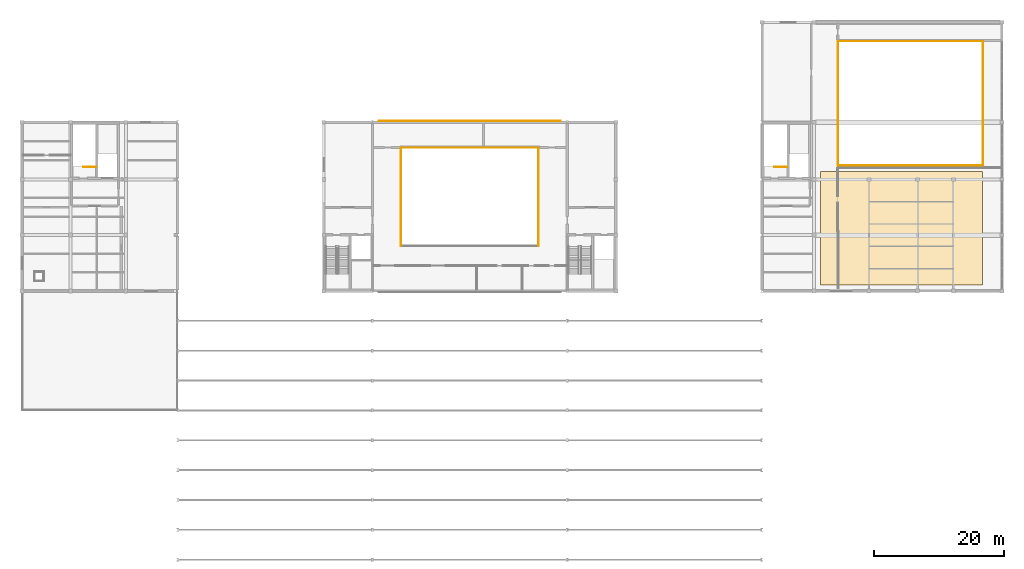
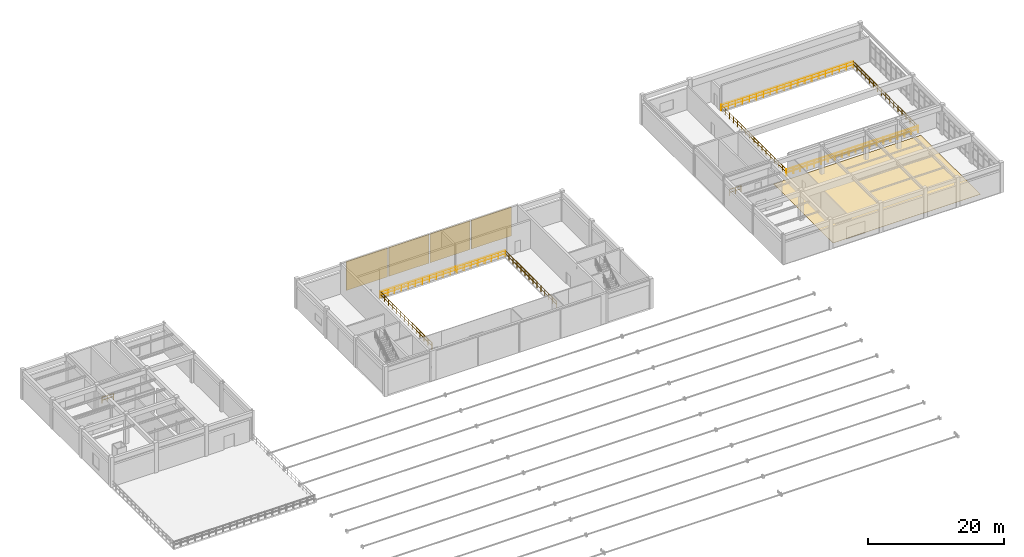
# One storey, part 38 of 38: 9 railings, 5 coverings.
"""IFC4 building model written with IfcOpenShell, lengths in metres."""

from ifc_helpers import new_model, si_unit, direction, frame, origin, origin_2d, place, context, subcontext, project, spatial, polyline, rectangle, circle, outline, extrude, material, layer, layer_set, type_object, element, save


model = new_model("IFC4")

# Units and contexts
model_context = context("Model", 3, precision=1e-05, world=origin(), true_north=direction((0.0, 1.0)))
body_context = subcontext(model_context, "Body", "Model", "MODEL_VIEW")
ifc_project = project(units=[si_unit("LENGTHUNIT", "METRE"), si_unit("AREAUNIT", "SQUARE_METRE"), si_unit("VOLUMEUNIT", "CUBIC_METRE"), si_unit("PLANEANGLEUNIT", "RADIAN"), si_unit("MASSUNIT", "GRAM", prefix="KILO")], contexts=[model_context])

# Site, building, storey
site_placement = place(None, origin())
site = spatial("IfcSite", under=ifc_project, at=site_placement, CompositionType="ELEMENT")
building_placement = place(site_placement, origin())
building = spatial("IfcBuilding", under=site, at=building_placement, Name="Muzn Square Opera House", CompositionType="ELEMENT")
storey_placement = place(building_placement, frame((0.0, 0.0, 18.0)))
storey = spatial("IfcBuildingStorey", under=building, at=storey_placement, Name="L04", CompositionType="ELEMENT", Elevation=18.0)

# Railings
ifc_material_1 = material(Name="Architectural bronze mashrabiya", Category="metal")
railing_type_1 = type_object("IfcRailingType", Name="Bronze Protective Balustrade 1120mm", PredefinedType="BALUSTRADE", material=ifc_material_1)
railing_1_placement = place(storey_placement, frame((98.580078125, 79.52001953125, 0.0)))
element("IfcRailing", 1, at=railing_1_placement, inside=storey, type_object=railing_type_1, Name="Void Edge Balustrade L04-0060", PredefinedType="BALUSTRADE", context=body_context, shape_type="SweptSolid", body=[
    extrude(circle(Radius=0.02392578125, at=origin_2d()), frame((0.0, 0.0, 1.09619140625), z_axis=(0.0, 1.0, 0.0), x_axis=(-1.0, 0.0, 0.0)), (0.0, 0.0, 1.0), 15.159912109375),
    extrude(circle(Radius=0.02392578125, at=origin_2d()), frame((0.0, 0.0, 0.56005859375), z_axis=(0.0, 1.0, 0.0), x_axis=(-1.0, 0.0, 0.0)), (0.0, 0.0, 1.0), 15.159912109375),
    extrude(circle(Radius=0.02099609375, at=origin_2d()), origin(), (0.0, 0.0, 1.0), 1.072021484375),
    extrude(circle(Radius=0.02099609375, at=origin_2d()), frame((0.0, 1.166259765625, 0.0)), (0.0, 0.0, 1.0), 1.072021484375),
    extrude(circle(Radius=0.02099609375, at=origin_2d()), frame((0.0, 2.332275390625, 0.0)), (0.0, 0.0, 1.0), 1.072021484375),
    extrude(circle(Radius=0.02099609375, at=origin_2d()), frame((0.0, 3.49853515625, 0.0)), (0.0, 0.0, 1.0), 1.072021484375),
    extrude(circle(Radius=0.02099609375, at=origin_2d()), frame((0.0, 4.66455078125, 0.0)), (0.0, 0.0, 1.0), 1.072021484375),
    extrude(circle(Radius=0.02099609375, at=origin_2d()), frame((0.0, 5.830810546875, 0.0)), (0.0, 0.0, 1.0), 1.072021484375),
    extrude(circle(Radius=0.02099609375, at=origin_2d()), frame((0.0, 6.996826171875, 0.0)), (0.0, 0.0, 1.0), 1.072021484375),
    extrude(circle(Radius=0.02099609375, at=origin_2d()), frame((0.0, 8.1630859375, 0.0)), (0.0, 0.0, 1.0), 1.072021484375),
    extrude(circle(Radius=0.02099609375, at=origin_2d()), frame((0.0, 9.3291015625, 0.0)), (0.0, 0.0, 1.0), 1.072021484375),
    extrude(circle(Radius=0.02099609375, at=origin_2d()), frame((0.0, 10.495361328125, 0.0)), (0.0, 0.0, 1.0), 1.072021484375),
    extrude(circle(Radius=0.02099609375, at=origin_2d()), frame((0.0, 11.661376953125, 0.0)), (0.0, 0.0, 1.0), 1.072021484375),
    extrude(circle(Radius=0.02099609375, at=origin_2d()), frame((0.0, 12.82763671875, 0.0)), (0.0, 0.0, 1.0), 1.072021484375),
    extrude(circle(Radius=0.02099609375, at=origin_2d()), frame((0.0, 13.99365234375, 0.0)), (0.0, 0.0, 1.0), 1.072021484375),
    extrude(circle(Radius=0.02099609375, at=origin_2d()), frame((0.0, 15.159912109375, 0.0)), (0.0, 0.0, 1.0), 1.072021484375),
])
railing_2_placement = place(storey_placement, frame((98.580078125, 94.679931640625, 0.0)))
element("IfcRailing", 2, at=railing_2_placement, inside=storey, type_object=railing_type_1, Name="Void Edge Balustrade L04-0061", PredefinedType="BALUSTRADE", context=body_context, shape_type="SweptSolid", body=[
    extrude(circle(Radius=0.02392578125, at=origin_2d()), frame((0.0, 0.0, 1.09619140625), z_axis=(-1.0, 0.0, 0.0), x_axis=(0.0, -1.0, 0.0)), (0.0, 0.0, 1.0), 21.16015625),
    extrude(circle(Radius=0.02392578125, at=origin_2d()), frame((0.0, 0.0, 0.56005859375), z_axis=(-1.0, 0.0, 0.0), x_axis=(0.0, -1.0, 0.0)), (0.0, 0.0, 1.0), 21.16015625),
    extrude(circle(Radius=0.02099609375, at=origin_2d()), origin(), (0.0, 0.0, 1.0), 1.072021484375),
    extrude(circle(Radius=0.02099609375, at=origin_2d()), frame((-1.175537109375, 0.0, 0.0)), (0.0, 0.0, 1.0), 1.072021484375),
    extrude(circle(Radius=0.02099609375, at=origin_2d()), frame((-2.35107421875, 0.0, 0.0)), (0.0, 0.0, 1.0), 1.072021484375),
    extrude(circle(Radius=0.02099609375, at=origin_2d()), frame((-3.526611328125, 0.0, 0.0)), (0.0, 0.0, 1.0), 1.072021484375),
    extrude(circle(Radius=0.02099609375, at=origin_2d()), frame((-4.7021484375, 0.0, 0.0)), (0.0, 0.0, 1.0), 1.072021484375),
    extrude(circle(Radius=0.02099609375, at=origin_2d()), frame((-5.8779296875, 0.0, 0.0)), (0.0, 0.0, 1.0), 1.072021484375),
    extrude(circle(Radius=0.02099609375, at=origin_2d()), frame((-7.053466796875, 0.0, 0.0)), (0.0, 0.0, 1.0), 1.072021484375),
    extrude(circle(Radius=0.02099609375, at=origin_2d()), frame((-8.22900390625, 0.0, 0.0)), (0.0, 0.0, 1.0), 1.072021484375),
    extrude(circle(Radius=0.02099609375, at=origin_2d()), frame((-9.404541015625, 0.0, 0.0)), (0.0, 0.0, 1.0), 1.072021484375),
    extrude(circle(Radius=0.02099609375, at=origin_2d()), frame((-10.580078125, 0.0, 0.0)), (0.0, 0.0, 1.0), 1.072021484375),
    extrude(circle(Radius=0.02099609375, at=origin_2d()), frame((-11.755615234375, 0.0, 0.0)), (0.0, 0.0, 1.0), 1.072021484375),
    extrude(circle(Radius=0.02099609375, at=origin_2d()), frame((-12.93115234375, 0.0, 0.0)), (0.0, 0.0, 1.0), 1.072021484375),
    extrude(circle(Radius=0.02099609375, at=origin_2d()), frame((-14.106689453125, 0.0, 0.0)), (0.0, 0.0, 1.0), 1.072021484375),
    extrude(circle(Radius=0.02099609375, at=origin_2d()), frame((-15.2822265625, 0.0, 0.0)), (0.0, 0.0, 1.0), 1.072021484375),
    extrude(circle(Radius=0.02099609375, at=origin_2d()), frame((-16.4580078125, 0.0, 0.0)), (0.0, 0.0, 1.0), 1.072021484375),
    extrude(circle(Radius=0.02099609375, at=origin_2d()), frame((-17.633544921875, 0.0, 0.0)), (0.0, 0.0, 1.0), 1.072021484375),
    extrude(circle(Radius=0.02099609375, at=origin_2d()), frame((-18.80908203125, 0.0, 0.0)), (0.0, 0.0, 1.0), 1.072021484375),
    extrude(circle(Radius=0.02099609375, at=origin_2d()), frame((-19.984619140625, 0.0, 0.0)), (0.0, 0.0, 1.0), 1.072021484375),
    extrude(circle(Radius=0.02099609375, at=origin_2d()), frame((-21.16015625, 0.0, 0.0)), (0.0, 0.0, 1.0), 1.072021484375),
])
railing_3_placement = place(storey_placement, frame((77.419921875, 94.679931640625, 0.0)))
element("IfcRailing", 3, at=railing_3_placement, inside=storey, type_object=railing_type_1, Name="Void Edge Balustrade L04-0062", PredefinedType="BALUSTRADE", context=body_context, shape_type="SweptSolid", body=[
    extrude(circle(Radius=0.02392578125, at=origin_2d()), frame((0.0, 0.0, 1.09619140625), z_axis=(0.0, -1.0, 0.0), x_axis=(1.0, 0.0, 0.0)), (0.0, 0.0, 1.0), 15.159912109375),
    extrude(circle(Radius=0.02392578125, at=origin_2d()), frame((0.0, 0.0, 0.56005859375), z_axis=(0.0, -1.0, 0.0), x_axis=(1.0, 0.0, 0.0)), (0.0, 0.0, 1.0), 15.159912109375),
    extrude(circle(Radius=0.02099609375, at=origin_2d()), origin(), (0.0, 0.0, 1.0), 1.072021484375),
    extrude(circle(Radius=0.02099609375, at=origin_2d()), frame((0.0, -1.166259765625, 0.0)), (0.0, 0.0, 1.0), 1.072021484375),
    extrude(circle(Radius=0.02099609375, at=origin_2d()), frame((0.0, -2.332275390625, 0.0)), (0.0, 0.0, 1.0), 1.072021484375),
    extrude(circle(Radius=0.02099609375, at=origin_2d()), frame((0.0, -3.49853515625, 0.0)), (0.0, 0.0, 1.0), 1.072021484375),
    extrude(circle(Radius=0.02099609375, at=origin_2d()), frame((0.0, -4.66455078125, 0.0)), (0.0, 0.0, 1.0), 1.072021484375),
    extrude(circle(Radius=0.02099609375, at=origin_2d()), frame((0.0, -5.830810546875, 0.0)), (0.0, 0.0, 1.0), 1.072021484375),
    extrude(circle(Radius=0.02099609375, at=origin_2d()), frame((0.0, -6.996826171875, 0.0)), (0.0, 0.0, 1.0), 1.072021484375),
    extrude(circle(Radius=0.02099609375, at=origin_2d()), frame((0.0, -8.1630859375, 0.0)), (0.0, 0.0, 1.0), 1.072021484375),
    extrude(circle(Radius=0.02099609375, at=origin_2d()), frame((0.0, -9.3291015625, 0.0)), (0.0, 0.0, 1.0), 1.072021484375),
    extrude(circle(Radius=0.02099609375, at=origin_2d()), frame((0.0, -10.495361328125, 0.0)), (0.0, 0.0, 1.0), 1.072021484375),
    extrude(circle(Radius=0.02099609375, at=origin_2d()), frame((0.0, -11.661376953125, 0.0)), (0.0, 0.0, 1.0), 1.072021484375),
    extrude(circle(Radius=0.02099609375, at=origin_2d()), frame((0.0, -12.82763671875, 0.0)), (0.0, 0.0, 1.0), 1.072021484375),
    extrude(circle(Radius=0.02099609375, at=origin_2d()), frame((0.0, -13.99365234375, 0.0)), (0.0, 0.0, 1.0), 1.072021484375),
    extrude(circle(Radius=0.02099609375, at=origin_2d()), frame((0.0, -15.159912109375, 0.0)), (0.0, 0.0, 1.0), 1.072021484375),
])
railing_4_placement = place(storey_placement, frame((144.719970703125, 91.919921875, 0.0)))
element("IfcRailing", 4, at=railing_4_placement, inside=storey, type_object=railing_type_1, Name="Void Edge Balustrade L04-0063", PredefinedType="BALUSTRADE", context=body_context, shape_type="SweptSolid", body=[
    extrude(circle(Radius=0.02392578125, at=origin_2d()), frame((0.0, 0.0, 1.09619140625), z_axis=(1.0, 0.0, 0.0), x_axis=(0.0, 1.0, 0.0)), (0.0, 0.0, 1.0), 22.360107421875),
    extrude(circle(Radius=0.02392578125, at=origin_2d()), frame((0.0, 0.0, 0.56005859375), z_axis=(1.0, 0.0, 0.0), x_axis=(0.0, 1.0, 0.0)), (0.0, 0.0, 1.0), 22.360107421875),
    extrude(circle(Radius=0.02099609375, at=origin_2d()), origin(), (0.0, 0.0, 1.0), 1.072021484375),
    extrude(circle(Radius=0.02099609375, at=origin_2d()), frame((1.1767578125, 0.0, 0.0)), (0.0, 0.0, 1.0), 1.072021484375),
    extrude(circle(Radius=0.02099609375, at=origin_2d()), frame((2.353759765625, 0.0, 0.0)), (0.0, 0.0, 1.0), 1.072021484375),
    extrude(circle(Radius=0.02099609375, at=origin_2d()), frame((3.530517578125, 0.0, 0.0)), (0.0, 0.0, 1.0), 1.072021484375),
    extrude(circle(Radius=0.02099609375, at=origin_2d()), frame((4.707275390625, 0.0, 0.0)), (0.0, 0.0, 1.0), 1.072021484375),
    extrude(circle(Radius=0.02099609375, at=origin_2d()), frame((5.88427734375, 0.0, 0.0)), (0.0, 0.0, 1.0), 1.072021484375),
    extrude(circle(Radius=0.02099609375, at=origin_2d()), frame((7.06103515625, 0.0, 0.0)), (0.0, 0.0, 1.0), 1.072021484375),
    extrude(circle(Radius=0.02099609375, at=origin_2d()), frame((8.238037109375, 0.0, 0.0)), (0.0, 0.0, 1.0), 1.072021484375),
    extrude(circle(Radius=0.02099609375, at=origin_2d()), frame((9.414794921875, 0.0, 0.0)), (0.0, 0.0, 1.0), 1.072021484375),
    extrude(circle(Radius=0.02099609375, at=origin_2d()), frame((10.591552734375, 0.0, 0.0)), (0.0, 0.0, 1.0), 1.072021484375),
    extrude(circle(Radius=0.02099609375, at=origin_2d()), frame((11.7685546875, 0.0, 0.0)), (0.0, 0.0, 1.0), 1.072021484375),
    extrude(circle(Radius=0.02099609375, at=origin_2d()), frame((12.9453125, 0.0, 0.0)), (0.0, 0.0, 1.0), 1.072021484375),
    extrude(circle(Radius=0.02099609375, at=origin_2d()), frame((14.1220703125, 0.0, 0.0)), (0.0, 0.0, 1.0), 1.072021484375),
    extrude(circle(Radius=0.02099609375, at=origin_2d()), frame((15.299072265625, 0.0, 0.0)), (0.0, 0.0, 1.0), 1.072021484375),
    extrude(circle(Radius=0.02099609375, at=origin_2d()), frame((16.475830078125, 0.0, 0.0)), (0.0, 0.0, 1.0), 1.072021484375),
    extrude(circle(Radius=0.02099609375, at=origin_2d()), frame((17.65283203125, 0.0, 0.0)), (0.0, 0.0, 1.0), 1.072021484375),
    extrude(circle(Radius=0.02099609375, at=origin_2d()), frame((18.82958984375, 0.0, 0.0)), (0.0, 0.0, 1.0), 1.072021484375),
    extrude(circle(Radius=0.02099609375, at=origin_2d()), frame((20.00634765625, 0.0, 0.0)), (0.0, 0.0, 1.0), 1.072021484375),
    extrude(circle(Radius=0.02099609375, at=origin_2d()), frame((21.183349609375, 0.0, 0.0)), (0.0, 0.0, 1.0), 1.072021484375),
    extrude(circle(Radius=0.02099609375, at=origin_2d()), frame((22.360107421875, 0.0, 0.0)), (0.0, 0.0, 1.0), 1.072021484375),
])
railing_5_placement = place(storey_placement, frame((167.080078125, 91.919921875, 0.0)))
element("IfcRailing", 5, at=railing_5_placement, inside=storey, type_object=railing_type_1, Name="Void Edge Balustrade L04-0064", PredefinedType="BALUSTRADE", context=body_context, shape_type="SweptSolid", body=[
    extrude(circle(Radius=0.02392578125, at=origin_2d()), frame((0.0, 0.0, 1.09619140625), z_axis=(0.0, 1.0, 0.0), x_axis=(-1.0, 0.0, 0.0)), (0.0, 0.0, 1.0), 19.16015625),
    extrude(circle(Radius=0.02392578125, at=origin_2d()), frame((0.0, 0.0, 0.56005859375), z_axis=(0.0, 1.0, 0.0), x_axis=(-1.0, 0.0, 0.0)), (0.0, 0.0, 1.0), 19.16015625),
    extrude(circle(Radius=0.02099609375, at=origin_2d()), origin(), (0.0, 0.0, 1.0), 1.072021484375),
    extrude(circle(Radius=0.02099609375, at=origin_2d()), frame((0.0, 1.197509765625, 0.0)), (0.0, 0.0, 1.0), 1.072021484375),
    extrude(circle(Radius=0.02099609375, at=origin_2d()), frame((0.0, 2.39501953125, 0.0)), (0.0, 0.0, 1.0), 1.072021484375),
    extrude(circle(Radius=0.02099609375, at=origin_2d()), frame((0.0, 3.592529296875, 0.0)), (0.0, 0.0, 1.0), 1.072021484375),
    extrude(circle(Radius=0.02099609375, at=origin_2d()), frame((0.0, 4.7900390625, 0.0)), (0.0, 0.0, 1.0), 1.072021484375),
    extrude(circle(Radius=0.02099609375, at=origin_2d()), frame((0.0, 5.987548828125, 0.0)), (0.0, 0.0, 1.0), 1.072021484375),
    extrude(circle(Radius=0.02099609375, at=origin_2d()), frame((0.0, 7.18505859375, 0.0)), (0.0, 0.0, 1.0), 1.072021484375),
    extrude(circle(Radius=0.02099609375, at=origin_2d()), frame((0.0, 8.382568359375, 0.0)), (0.0, 0.0, 1.0), 1.072021484375),
    extrude(circle(Radius=0.02099609375, at=origin_2d()), frame((0.0, 9.580078125, 0.0)), (0.0, 0.0, 1.0), 1.072021484375),
    extrude(circle(Radius=0.02099609375, at=origin_2d()), frame((0.0, 10.777587890625, 0.0)), (0.0, 0.0, 1.0), 1.072021484375),
    extrude(circle(Radius=0.02099609375, at=origin_2d()), frame((0.0, 11.97509765625, 0.0)), (0.0, 0.0, 1.0), 1.072021484375),
    extrude(circle(Radius=0.02099609375, at=origin_2d()), frame((0.0, 13.172607421875, 0.0)), (0.0, 0.0, 1.0), 1.072021484375),
    extrude(circle(Radius=0.02099609375, at=origin_2d()), frame((0.0, 14.3701171875, 0.0)), (0.0, 0.0, 1.0), 1.072021484375),
    extrude(circle(Radius=0.02099609375, at=origin_2d()), frame((0.0, 15.567626953125, 0.0)), (0.0, 0.0, 1.0), 1.072021484375),
    extrude(circle(Radius=0.02099609375, at=origin_2d()), frame((0.0, 16.76513671875, 0.0)), (0.0, 0.0, 1.0), 1.072021484375),
    extrude(circle(Radius=0.02099609375, at=origin_2d()), frame((0.0, 17.962646484375, 0.0)), (0.0, 0.0, 1.0), 1.072021484375),
    extrude(circle(Radius=0.02099609375, at=origin_2d()), frame((0.0, 19.16015625, 0.0)), (0.0, 0.0, 1.0), 1.072021484375),
])
railing_6_placement = place(storey_placement, frame((167.080078125, 111.080078125, 0.0)))
element("IfcRailing", 6, at=railing_6_placement, inside=storey, type_object=railing_type_1, Name="Void Edge Balustrade L04-0065", PredefinedType="BALUSTRADE", context=body_context, shape_type="SweptSolid", body=[
    extrude(circle(Radius=0.02392578125, at=origin_2d()), frame((0.0, 0.0, 1.09619140625), z_axis=(-1.0, 0.0, 0.0), x_axis=(0.0, -1.0, 0.0)), (0.0, 0.0, 1.0), 22.360107421875),
    extrude(circle(Radius=0.02392578125, at=origin_2d()), frame((0.0, 0.0, 0.56005859375), z_axis=(-1.0, 0.0, 0.0), x_axis=(0.0, -1.0, 0.0)), (0.0, 0.0, 1.0), 22.360107421875),
    extrude(circle(Radius=0.02099609375, at=origin_2d()), origin(), (0.0, 0.0, 1.0), 1.072021484375),
    extrude(circle(Radius=0.02099609375, at=origin_2d()), frame((-1.1767578125, 0.0, 0.0)), (0.0, 0.0, 1.0), 1.072021484375),
    extrude(circle(Radius=0.02099609375, at=origin_2d()), frame((-2.353759765625, 0.0, 0.0)), (0.0, 0.0, 1.0), 1.072021484375),
    extrude(circle(Radius=0.02099609375, at=origin_2d()), frame((-3.530517578125, 0.0, 0.0)), (0.0, 0.0, 1.0), 1.072021484375),
    extrude(circle(Radius=0.02099609375, at=origin_2d()), frame((-4.707275390625, 0.0, 0.0)), (0.0, 0.0, 1.0), 1.072021484375),
    extrude(circle(Radius=0.02099609375, at=origin_2d()), frame((-5.88427734375, 0.0, 0.0)), (0.0, 0.0, 1.0), 1.072021484375),
    extrude(circle(Radius=0.02099609375, at=origin_2d()), frame((-7.06103515625, 0.0, 0.0)), (0.0, 0.0, 1.0), 1.072021484375),
    extrude(circle(Radius=0.02099609375, at=origin_2d()), frame((-8.238037109375, 0.0, 0.0)), (0.0, 0.0, 1.0), 1.072021484375),
    extrude(circle(Radius=0.02099609375, at=origin_2d()), frame((-9.414794921875, 0.0, 0.0)), (0.0, 0.0, 1.0), 1.072021484375),
    extrude(circle(Radius=0.02099609375, at=origin_2d()), frame((-10.591552734375, 0.0, 0.0)), (0.0, 0.0, 1.0), 1.072021484375),
    extrude(circle(Radius=0.02099609375, at=origin_2d()), frame((-11.7685546875, 0.0, 0.0)), (0.0, 0.0, 1.0), 1.072021484375),
    extrude(circle(Radius=0.02099609375, at=origin_2d()), frame((-12.9453125, 0.0, 0.0)), (0.0, 0.0, 1.0), 1.072021484375),
    extrude(circle(Radius=0.02099609375, at=origin_2d()), frame((-14.1220703125, 0.0, 0.0)), (0.0, 0.0, 1.0), 1.072021484375),
    extrude(circle(Radius=0.02099609375, at=origin_2d()), frame((-15.299072265625, 0.0, 0.0)), (0.0, 0.0, 1.0), 1.072021484375),
    extrude(circle(Radius=0.02099609375, at=origin_2d()), frame((-16.475830078125, 0.0, 0.0)), (0.0, 0.0, 1.0), 1.072021484375),
    extrude(circle(Radius=0.02099609375, at=origin_2d()), frame((-17.65283203125, 0.0, 0.0)), (0.0, 0.0, 1.0), 1.072021484375),
    extrude(circle(Radius=0.02099609375, at=origin_2d()), frame((-18.82958984375, 0.0, 0.0)), (0.0, 0.0, 1.0), 1.072021484375),
    extrude(circle(Radius=0.02099609375, at=origin_2d()), frame((-20.00634765625, 0.0, 0.0)), (0.0, 0.0, 1.0), 1.072021484375),
    extrude(circle(Radius=0.02099609375, at=origin_2d()), frame((-21.183349609375, 0.0, 0.0)), (0.0, 0.0, 1.0), 1.072021484375),
    extrude(circle(Radius=0.02099609375, at=origin_2d()), frame((-22.360107421875, 0.0, 0.0)), (0.0, 0.0, 1.0), 1.072021484375),
])
railing_7_placement = place(storey_placement, frame((144.719970703125, 111.080078125, 0.0)))
element("IfcRailing", 7, at=railing_7_placement, inside=storey, type_object=railing_type_1, Name="Void Edge Balustrade L04-0066", PredefinedType="BALUSTRADE", context=body_context, shape_type="SweptSolid", body=[
    extrude(circle(Radius=0.02392578125, at=origin_2d()), frame((0.0, 0.0, 1.09619140625), z_axis=(0.0, -1.0, 0.0), x_axis=(1.0, 0.0, 0.0)), (0.0, 0.0, 1.0), 19.16015625),
    extrude(circle(Radius=0.02392578125, at=origin_2d()), frame((0.0, 0.0, 0.56005859375), z_axis=(0.0, -1.0, 0.0), x_axis=(1.0, 0.0, 0.0)), (0.0, 0.0, 1.0), 19.16015625),
    extrude(circle(Radius=0.02099609375, at=origin_2d()), origin(), (0.0, 0.0, 1.0), 1.072021484375),
    extrude(circle(Radius=0.02099609375, at=origin_2d()), frame((0.0, -1.197509765625, 0.0)), (0.0, 0.0, 1.0), 1.072021484375),
    extrude(circle(Radius=0.02099609375, at=origin_2d()), frame((0.0, -2.39501953125, 0.0)), (0.0, 0.0, 1.0), 1.072021484375),
    extrude(circle(Radius=0.02099609375, at=origin_2d()), frame((0.0, -3.592529296875, 0.0)), (0.0, 0.0, 1.0), 1.072021484375),
    extrude(circle(Radius=0.02099609375, at=origin_2d()), frame((0.0, -4.7900390625, 0.0)), (0.0, 0.0, 1.0), 1.072021484375),
    extrude(circle(Radius=0.02099609375, at=origin_2d()), frame((0.0, -5.987548828125, 0.0)), (0.0, 0.0, 1.0), 1.072021484375),
    extrude(circle(Radius=0.02099609375, at=origin_2d()), frame((0.0, -7.18505859375, 0.0)), (0.0, 0.0, 1.0), 1.072021484375),
    extrude(circle(Radius=0.02099609375, at=origin_2d()), frame((0.0, -8.382568359375, 0.0)), (0.0, 0.0, 1.0), 1.072021484375),
    extrude(circle(Radius=0.02099609375, at=origin_2d()), frame((0.0, -9.580078125, 0.0)), (0.0, 0.0, 1.0), 1.072021484375),
    extrude(circle(Radius=0.02099609375, at=origin_2d()), frame((0.0, -10.777587890625, 0.0)), (0.0, 0.0, 1.0), 1.072021484375),
    extrude(circle(Radius=0.02099609375, at=origin_2d()), frame((0.0, -11.97509765625, 0.0)), (0.0, 0.0, 1.0), 1.072021484375),
    extrude(circle(Radius=0.02099609375, at=origin_2d()), frame((0.0, -13.172607421875, 0.0)), (0.0, 0.0, 1.0), 1.072021484375),
    extrude(circle(Radius=0.02099609375, at=origin_2d()), frame((0.0, -14.3701171875, 0.0)), (0.0, 0.0, 1.0), 1.072021484375),
    extrude(circle(Radius=0.02099609375, at=origin_2d()), frame((0.0, -15.567626953125, 0.0)), (0.0, 0.0, 1.0), 1.072021484375),
    extrude(circle(Radius=0.02099609375, at=origin_2d()), frame((0.0, -16.76513671875, 0.0)), (0.0, 0.0, 1.0), 1.072021484375),
    extrude(circle(Radius=0.02099609375, at=origin_2d()), frame((0.0, -17.962646484375, 0.0)), (0.0, 0.0, 1.0), 1.072021484375),
    extrude(circle(Radius=0.02099609375, at=origin_2d()), frame((0.0, -19.16015625, 0.0)), (0.0, 0.0, 1.0), 1.072021484375),
])

# Coverings
ifc_material_2 = material(Name="Honed Riyadh limestone", Category="stone")
ifc_layer_1 = layer(ifc_material_2, 0.06005859375, Name="Honed Riyadh limestone", Category="stone")
ifc_layer_set_1 = layer_set([ifc_layer_1], Name="Honed Riyadh limestone")
covering_type_1 = type_object("IfcCoveringType", Name="Honed Riyadh Limestone Facade Cladding", PredefinedType="CLADDING", material=ifc_layer_set_1)
covering_1_placement = place(storey_placement, frame((77.5, 98.800048828125, 0.0), z_axis=(0.0, 0.0, 1.0), x_axis=(1.0, 0.0, 0.0)))
element("IfcCovering", 8, at=covering_1_placement, inside=storey, type_object=covering_type_1, Name="Honed Riyadh Limestone Cladding Panel CLD-FT-L04-05", PredefinedType="CLADDING", context=body_context, shape_type="SweptSolid", body=[
    extrude(rectangle(XDim=7.0, YDim=0.06005859375, at=origin_2d()), origin(), (0.0, 0.0, 1.0), 5.199951171875),
])
for number, where, z_axis, x_axis, name in (
    (9, (84.60009765625, 98.800048828125, 0.0), (0.0, 0.0, 1.0), (1.0, 0.0, 0.0), "Honed Riyadh Limestone Cladding Panel CLD-FT-L04-06"),
    (10, (91.60009765625, 98.800048828125, 0.0), (0.0, 0.0, 1.0), (1.0, 0.0, 0.0), "Honed Riyadh Limestone Cladding Panel CLD-FT-L04-07"),
    (11, (98.60009765625, 98.800048828125, 0.0), (0.0, 0.0, 1.0), (1.0, 0.0, 0.0), "Honed Riyadh Limestone Cladding Panel CLD-FT-L04-08"),
):
    element("IfcCovering", number, at=place(storey_placement, frame(where, z_axis=z_axis, x_axis=x_axis)), inside=storey, type_object=covering_type_1, Name=name, PredefinedType="CLADDING", context=body_context, shape_type="SweptSolid", body=[
        extrude(rectangle(XDim=6.800048828125, YDim=0.06005859375, at=origin_2d()), origin(), (0.0, 0.0, 1.0), 5.199951171875),
    ])
ifc_material_3 = material(Name="Polished limestone terrazzo", Category="stone")
ifc_layer_2 = layer(ifc_material_3, 0.030029296875, Name="Polished limestone terrazzo", Category="stone")
ifc_layer_set_2 = layer_set([ifc_layer_2], Name="Polished limestone terrazzo")
covering_type_2 = type_object("IfcCoveringType", Name="Polished Terrazzo Promenade Flooring", PredefinedType="FLOORING", material=ifc_layer_set_2)
covering_2_placement = place(storey_placement, origin())
element("IfcCovering", 12, at=covering_2_placement, inside=storey, type_object=covering_type_2, Name="Musicians Lounge Terrazzo Flooring", PredefinedType="FLOORING", context=body_context, shape_type="SweptSolid", body=[
    extrude(outline(polyline([(142.0, 73.5), (167.0, 73.5), (167.0, 91.0), (142.0, 91.0), (142.0, 73.5)])), origin(), (0.0, 0.0, 1.0), 0.030029296875),
])

# Railings
ifc_material_4 = material(Name="Brushed stainless steel", Category="metal")
railing_type_2 = type_object("IfcRailingType", Name="Stair Guard Railing 1120mm", PredefinedType="GUARDRAIL", material=ifc_material_4)
for number, where, name in (
    (13, (136.89990234375, 91.7099609375, 0.0), "L04 ST-5 top well guard 1"),
    (14, (30.39990234375, 91.7099609375, 0.0), "L04 ST-6 top well guard 1"),
):
    element("IfcRailing", number, at=place(storey_placement, frame(where)), inside=storey, type_object=railing_type_2, Name=name, PredefinedType="GUARDRAIL", context=body_context, shape_type="SweptSolid", body=[
        extrude(circle(Radius=0.02392578125, at=origin_2d()), frame((0.0, 0.0, 1.076171875), z_axis=(-1.0, 0.0, 0.0), x_axis=(0.0, -1.0, 0.0)), (0.0, 0.0, 1.0), 1.93994140625),
        extrude(circle(Radius=0.02392578125, at=origin_2d()), frame((0.0, 0.0, 0.550048828125), z_axis=(-1.0, 0.0, 0.0), x_axis=(0.0, -1.0, 0.0)), (0.0, 0.0, 1.0), 1.93994140625),
        extrude(circle(Radius=0.02099609375, at=origin_2d()), origin(), (0.0, 0.0, 1.0), 1.052001953125),
        extrude(circle(Radius=0.02099609375, at=origin_2d()), frame((-0.969970703125, 0.0, 0.0)), (0.0, 0.0, 1.0), 1.052001953125),
        extrude(circle(Radius=0.02099609375, at=origin_2d()), frame((-1.93994140625, 0.0, 0.0)), (0.0, 0.0, 1.0), 1.052001953125),
    ])

save(model, "model.ifc")
